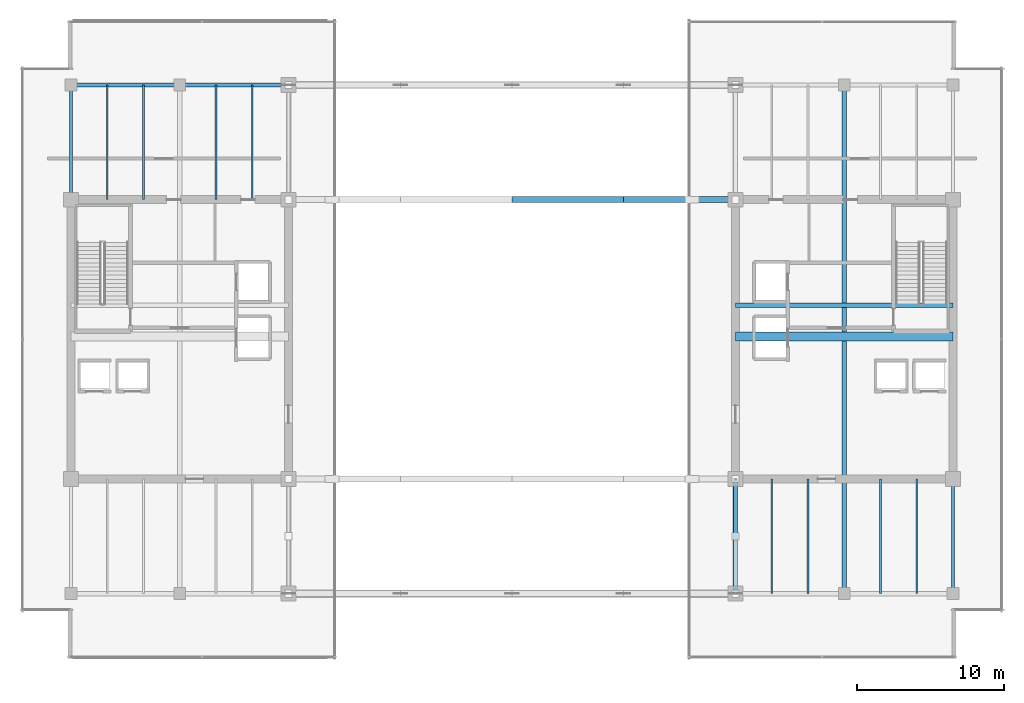
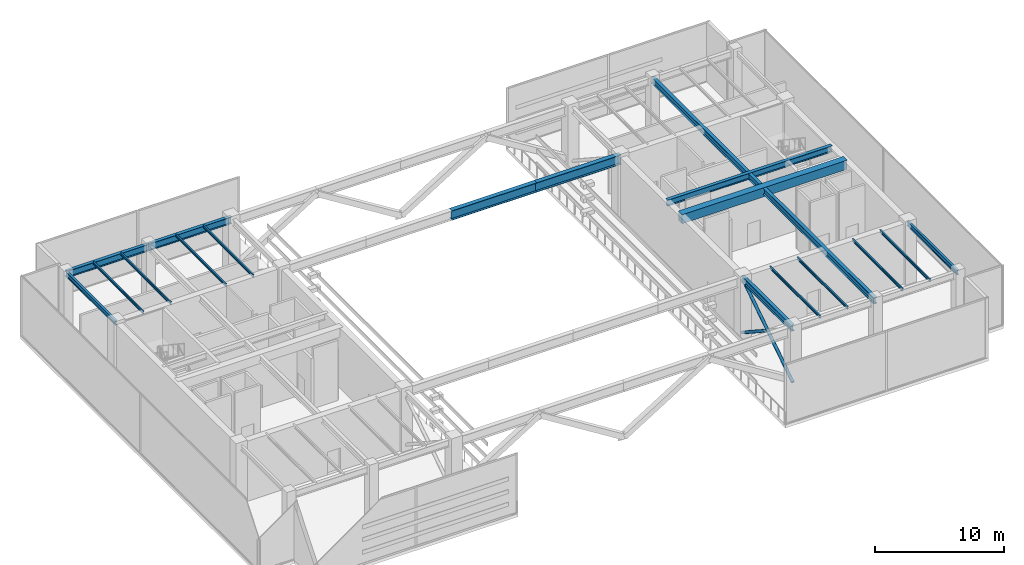
# One storey, part 12 of 30: 18 beams, 2 members.
"""IFC4 building model written with IfcOpenShell, lengths in metres."""

from ifc_helpers import new_model, si_unit, direction, frame, origin, origin_2d, place, context, subcontext, project, spatial, rectangle, hollow_circle, i_section, extrude, source, transform, mapped, material, material_profile, profile_set, type_object, type_shapes, element, save


model = new_model("IFC4")

# Units and contexts
model_context = context("Model", 3, precision=1e-05, world=origin(), true_north=direction((0.0, 1.0)))
body_context = subcontext(model_context, "Body", "Model", "MODEL_VIEW")
ifc_project = project(units=[si_unit("LENGTHUNIT", "METRE"), si_unit("AREAUNIT", "SQUARE_METRE"), si_unit("VOLUMEUNIT", "CUBIC_METRE"), si_unit("PLANEANGLEUNIT", "RADIAN"), si_unit("MASSUNIT", "GRAM", prefix="KILO")], contexts=[model_context])

# Site, building, storey
site_placement = place(None, origin())
site = spatial("IfcSite", under=ifc_project, at=site_placement, CompositionType="ELEMENT")
building_placement = place(site_placement, origin())
building = spatial("IfcBuilding", under=site, at=building_placement, Name="Haelvirn Gate Laboratories", CompositionType="ELEMENT")
storey_placement = place(building_placement, frame((0.0, 0.0, 291.60009765625)))
storey = spatial("IfcBuildingStorey", under=building, at=storey_placement, Name="L70", CompositionType="ELEMENT", Elevation=291.60009765625)

# Beams
ifc_material_1 = material(Name="Steel SM355", Category="steel")
ifc_material_profile_1 = material_profile(ifc_material_1, i_section(OverallWidth=0.300048828125, OverallDepth=0.587890625, WebThickness=0.011962890625, FlangeThickness=0.02001953125, at=origin_2d()), Name="H-588x300x12x20")
ifc_profile_set_1 = profile_set([ifc_material_profile_1], Name="Steel SM355")
beam_type_1 = type_object("IfcBeamType", Name="BM-G-588", PredefinedType="BEAM", material=ifc_profile_set_1)
shared_shape_1 = source(origin(), body_context, "Body", "SweptSolid", [
    extrude(i_section(OverallWidth=0.300048828125, OverallDepth=0.587890625, WebThickness=0.011962890625, FlangeThickness=0.02001953125, at=origin_2d()), origin(), (0.0, 0.0, 1.0), 14.7998046875),
])
beam_1_placement = place(storey_placement, frame((52.60009765625, 26.6201171875, 5.406005859375), z_axis=(1.0, 0.0, 0.0), x_axis=(0.0, 1.0, 0.0)))
element("IfcBeam", 1, at=beam_1_placement, inside=storey, type_object=beam_type_1, Name="L70 Stair ST2 Landing Header", PredefinedType="BEAM", context=body_context, shape_type="MappedRepresentation", body=[
    mapped(shared_shape_1, transform((0.0, 0.0, 0.0), scale=1.0)),
])
ifc_material_2 = material(Name="Steel SM420", Category="steel")
ifc_material_profile_2 = material_profile(ifc_material_2, i_section(OverallWidth=0.39990234375, OverallDepth=0.89990234375, WebThickness=0.01904296875, FlangeThickness=0.031982421875, at=origin_2d()), Name="H-900x400x19x32")
ifc_profile_set_2 = profile_set([ifc_material_profile_2], Name="Steel SM420")
beam_type_2 = type_object("IfcBeamType", Name="BM-TG-900", PredefinedType="BEAM", material=ifc_profile_set_2)
shared_shape_2 = source(origin(), body_context, "Body", "SweptSolid", [
    extrude(i_section(OverallWidth=0.39990234375, OverallDepth=0.89990234375, WebThickness=0.01904296875, FlangeThickness=0.031982421875, at=origin_2d()), origin(), (0.0, 0.0, 1.0), 7.60009765625),
])
type_shapes(beam_type_2, [shared_shape_2])
for number, where, z_axis, x_axis, name in (
    (2, (37.39990234375, 33.800048828125, 5.25), (1.0, 0.0, 0.0), (0.0, 1.0, 0.0), "L71 Arch Bridge Bottom Tie Chord Y33.8-3"),
    (3, (45.0, 33.800048828125, 5.25), (1.0, 0.0, 0.0), (0.0, 1.0, 0.0), "L71 Arch Bridge Bottom Tie Chord Y33.8-4"),
):
    element("IfcBeam", number, at=place(storey_placement, frame(where, z_axis=z_axis, x_axis=x_axis)), inside=storey, type_object=beam_type_2, Name=name, PredefinedType="BEAM", context=body_context, shape_type="MappedRepresentation", body=[
        mapped(shared_shape_2, transform((0.0, 0.0, 0.0), scale=1.0)),
    ])
shared_shape_3 = source(origin(), body_context, "Body", "SweptSolid", [
    extrude(i_section(OverallWidth=0.300048828125, OverallDepth=0.587890625, WebThickness=0.011962890625, FlangeThickness=0.02001953125, at=origin_2d()), origin(), (0.0, 0.0, 1.0), 34.60009765625),
])
beam_2_placement = place(storey_placement, frame((60.0, 7.0, 5.406005859375), z_axis=(0.0, 1.0, 0.0), x_axis=(-1.0, 0.0, 0.0)))
element("IfcBeam", 4, at=beam_2_placement, inside=storey, type_object=beam_type_1, Name="L70 Frame Girder X60.0 (7.0-41.6)", PredefinedType="BEAM", context=body_context, shape_type="MappedRepresentation", body=[
    mapped(shared_shape_3, transform((0.0, 0.0, 0.0), scale=1.0)),
])
shared_shape_4 = source(origin(), body_context, "Body", "SweptSolid", [
    extrude(i_section(OverallWidth=0.300048828125, OverallDepth=0.587890625, WebThickness=0.011962890625, FlangeThickness=0.02001953125, at=origin_2d()), origin(), (0.0, 0.0, 1.0), 7.800048828125),
])
type_shapes(beam_type_1, [shared_shape_1, shared_shape_3, shared_shape_4])
beam_3_placement = place(storey_placement, frame((52.60009765625, 7.0, 5.406005859375), z_axis=(0.0, 1.0, 0.0), x_axis=(-1.0, 0.0, 0.0)))
element("IfcBeam", 5, at=beam_3_placement, inside=storey, type_object=beam_type_1, Name="L70 Frame Girder X52.6 (7.0-14.8)", PredefinedType="BEAM", context=body_context, shape_type="MappedRepresentation", body=[
    mapped(shared_shape_4, transform((0.0, 0.0, 0.0), scale=1.0)),
])
ifc_material_3 = material(Name="Concrete C50/60", Category="concrete")
ifc_material_profile_3 = material_profile(ifc_material_3, rectangle(XDim=0.60009765625, YDim=0.85009765625, at=origin_2d()), Name="RCB-600x850")
ifc_profile_set_3 = profile_set([ifc_material_profile_3], Name="Concrete C50/60")
beam_type_3 = type_object("IfcBeamType", Name="BM-RCB-850", PredefinedType="LINTEL", material=ifc_profile_set_3)
shared_shape_5 = source(origin(), body_context, "Body", "SweptSolid", [
    extrude(rectangle(XDim=0.60009765625, YDim=0.85009765625, at=origin_2d()), origin(), (0.0, 0.0, 1.0), 14.7998046875),
])
type_shapes(beam_type_3, [shared_shape_5])
beam_4_placement = place(storey_placement, frame((52.60009765625, 24.5, 5.27490234375), z_axis=(1.0, 0.0, 0.0), x_axis=(0.0, 1.0, 0.0)))
element("IfcBeam", 6, at=beam_4_placement, inside=storey, type_object=beam_type_3, Name="L70 East Core Coupling Beam", PredefinedType="LINTEL", context=body_context, shape_type="MappedRepresentation", body=[
    mapped(shared_shape_5, transform((0.0, 0.0, 0.0), scale=1.0)),
])
ifc_material_profile_4 = material_profile(ifc_material_1, i_section(OverallWidth=0.300048828125, OverallDepth=0.64990234375, WebThickness=0.012939453125, FlangeThickness=0.02197265625, at=origin_2d()), Name="H-650x300x13x22")
ifc_profile_set_4 = profile_set([ifc_material_profile_4], Name="Steel SM355")
beam_type_4 = type_object("IfcBeamType", Name="BM-G-650", PredefinedType="BEAM", material=ifc_profile_set_4)
shared_shape_6 = source(origin(), body_context, "Body", "SweptSolid", [
    extrude(i_section(OverallWidth=0.300048828125, OverallDepth=0.64990234375, WebThickness=0.012939453125, FlangeThickness=0.02197265625, at=origin_2d()), origin(), (0.0, 0.0, 1.0), 7.400146484375),
])
beam_5_placement = place(storey_placement, frame((7.39990234375, 41.60009765625, 5.375), z_axis=(1.0, 0.0, 0.0), x_axis=(0.0, 1.0, 0.0)))
element("IfcBeam", 7, at=beam_5_placement, inside=storey, type_object=beam_type_4, Name="L70 Primary Girder Y41.6 (7.4-14.8)", PredefinedType="BEAM", context=body_context, shape_type="MappedRepresentation", body=[
    mapped(shared_shape_6, transform((0.0, 0.0, 0.0), scale=1.0)),
])
shared_shape_7 = source(origin(), body_context, "Body", "SweptSolid", [
    extrude(i_section(OverallWidth=0.300048828125, OverallDepth=0.64990234375, WebThickness=0.012939453125, FlangeThickness=0.02197265625, at=origin_2d()), origin(), (0.0, 0.0, 1.0), 7.39990234375),
])
type_shapes(beam_type_4, [shared_shape_6, shared_shape_7])
beam_6_placement = place(storey_placement, frame((14.800048828125, 41.60009765625, 5.375), z_axis=(1.0, 0.0, 0.0), x_axis=(0.0, 1.0, 0.0)))
element("IfcBeam", 8, at=beam_6_placement, inside=storey, type_object=beam_type_4, Name="L70 Primary Girder Y41.6 (14.8-22.2)", PredefinedType="BEAM", context=body_context, shape_type="MappedRepresentation", body=[
    mapped(shared_shape_7, transform((0.0, 0.0, 0.0), scale=1.0)),
])
ifc_material_profile_5 = material_profile(ifc_material_1, i_section(OverallWidth=0.199951171875, OverallDepth=0.449951171875, WebThickness=0.009033203125, FlangeThickness=0.013916015625, at=origin_2d()), Name="H-450x200x9x14")
ifc_profile_set_5 = profile_set([ifc_material_profile_5], Name="Steel SM355")
beam_type_5 = type_object("IfcBeamType", Name="BM-SP-450", PredefinedType="SPANDREL", material=ifc_profile_set_5)
shared_shape_8 = source(origin(), body_context, "Body", "SweptSolid", [
    extrude(i_section(OverallWidth=0.199951171875, OverallDepth=0.449951171875, WebThickness=0.009033203125, FlangeThickness=0.013916015625, at=origin_2d()), origin(), (0.0, 0.0, 1.0), 7.800048828125),
])
type_shapes(beam_type_5, [shared_shape_8])
for number, where, z_axis, x_axis, name in (
    (9, (7.39990234375, 33.800048828125, 5.474853515625), (0.0, 1.0, 0.0), (-1.0, 0.0, 0.0), "L70 Perimeter Spandrel X7.4 (33.8-41.6)"),
    (10, (67.39990234375, 7.0, 5.474853515625), (0.0, 1.0, 0.0), (-1.0, 0.0, 0.0), "L70 Perimeter Spandrel X67.4 (7.0-14.8)"),
):
    element("IfcBeam", number, at=place(storey_placement, frame(where, z_axis=z_axis, x_axis=x_axis)), inside=storey, type_object=beam_type_5, Name=name, PredefinedType="SPANDREL", context=body_context, shape_type="MappedRepresentation", body=[
        mapped(shared_shape_8, transform((0.0, 0.0, 0.0), scale=1.0)),
    ])
ifc_material_profile_6 = material_profile(ifc_material_1, i_section(OverallWidth=0.125, OverallDepth=0.25, WebThickness=0.006103515625, FlangeThickness=0.009033203125, at=origin_2d()), Name="H-250x125x6x9")
ifc_profile_set_6 = profile_set([ifc_material_profile_6], Name="Steel SM355")
beam_type_6 = type_object("IfcBeamType", Name="BM-J-250", PredefinedType="JOIST", material=ifc_profile_set_6)
shared_shape_9 = source(origin(), body_context, "Body", "SweptSolid", [
    extrude(i_section(OverallWidth=0.125, OverallDepth=0.25, WebThickness=0.006103515625, FlangeThickness=0.009033203125, at=origin_2d()), origin(), (0.0, 0.0, 1.0), 7.800048828125),
])
type_shapes(beam_type_6, [shared_shape_9])
for number, where, z_axis, x_axis, name in (
    (11, (9.8701171875, 33.800048828125, 5.574951171875), (0.0, 1.0, 0.0), (-1.0, 0.0, 0.0), "L70 Composite Lab Joist North X9.87"),
    (12, (12.330078125, 33.800048828125, 5.574951171875), (0.0, 1.0, 0.0), (-1.0, 0.0, 0.0), "L70 Composite Lab Joist North X12.33"),
    (13, (17.27001953125, 33.800048828125, 5.574951171875), (0.0, 1.0, 0.0), (-1.0, 0.0, 0.0), "L70 Composite Lab Joist North X17.27"),
    (14, (19.72998046875, 33.800048828125, 5.574951171875), (0.0, 1.0, 0.0), (-1.0, 0.0, 0.0), "L70 Composite Lab Joist North X19.73"),
    (15, (55.070068359375, 7.0, 5.574951171875), (0.0, 1.0, 0.0), (-1.0, 0.0, 0.0), "L70 Composite Lab Joist South X55.07"),
    (16, (57.530029296875, 7.0, 5.574951171875), (0.0, 1.0, 0.0), (-1.0, 0.0, 0.0), "L70 Composite Lab Joist South X57.53"),
    (17, (62.469970703125, 7.0, 5.574951171875), (0.0, 1.0, 0.0), (-1.0, 0.0, 0.0), "L70 Composite Lab Joist South X62.47"),
    (18, (64.929931640625, 7.0, 5.574951171875), (0.0, 1.0, 0.0), (-1.0, 0.0, 0.0), "L70 Composite Lab Joist South X64.93"),
):
    element("IfcBeam", number, at=place(storey_placement, frame(where, z_axis=z_axis, x_axis=x_axis)), inside=storey, type_object=beam_type_6, Name=name, PredefinedType="JOIST", context=body_context, shape_type="MappedRepresentation", body=[
        mapped(shared_shape_9, transform((0.0, 0.0, 0.0), scale=1.0)),
    ])

# Members
ifc_material_profile_7 = material_profile(ifc_material_1, hollow_circle(Radius=0.136474609375, WallThickness=0.011962890625, at=origin_2d()), Name="CHS-273x12")
ifc_profile_set_7 = profile_set([ifc_material_profile_7], Name="Steel SM355")
member_type = type_object("IfcMemberType", Name="MEM-TURB-BRACE", PredefinedType="STRUT", material=ifc_profile_set_7)
shared_shape_10 = source(origin(), body_context, "Body", "SweptSolid", [
    extrude(hollow_circle(Radius=0.136474609375, WallThickness=0.011962890625, at=origin_2d()), origin(), (0.0, 0.0, 1.0), 9.3193359375),
])
member_1_placement = place(storey_placement, frame((52.60009765625, 7.0, 0.25), z_axis=(0.0, 0.836978382505, 0.547235952053), x_axis=(-1.0, 0.0, 0.0)))
element("IfcMember", 19, at=member_1_placement, inside=storey, type_object=member_type, Name="L70 Wind-Turbine Portal Primary Brace E-S", PredefinedType="STRUT", context=body_context, shape_type="MappedRepresentation", body=[
    mapped(shared_shape_10, transform((0.0, 0.0, 0.0), scale=1.0)),
])
shared_shape_11 = source(origin(), body_context, "Body", "SweptSolid", [
    extrude(hollow_circle(Radius=0.136474609375, WallThickness=0.011962890625, at=origin_2d()), origin(), (0.0, 0.0, 1.0), 4.65966796875),
])
type_shapes(member_type, [shared_shape_10, shared_shape_11])
member_2_placement = place(storey_placement, frame((52.60009765625, 10.89990234375, 2.7998046875), z_axis=(0.0, 0.836998226065, -0.547205600815), x_axis=(-1.0, 0.0, 0.0)))
element("IfcMember", 20, at=member_2_placement, inside=storey, type_object=member_type, Name="L70 Wind-Turbine Portal Split X-Brace E-S Upper", PredefinedType="STRUT", context=body_context, shape_type="MappedRepresentation", body=[
    mapped(shared_shape_11, transform((0.0, 0.0, 0.0), scale=1.0)),
])

save(model, "model.ifc")
